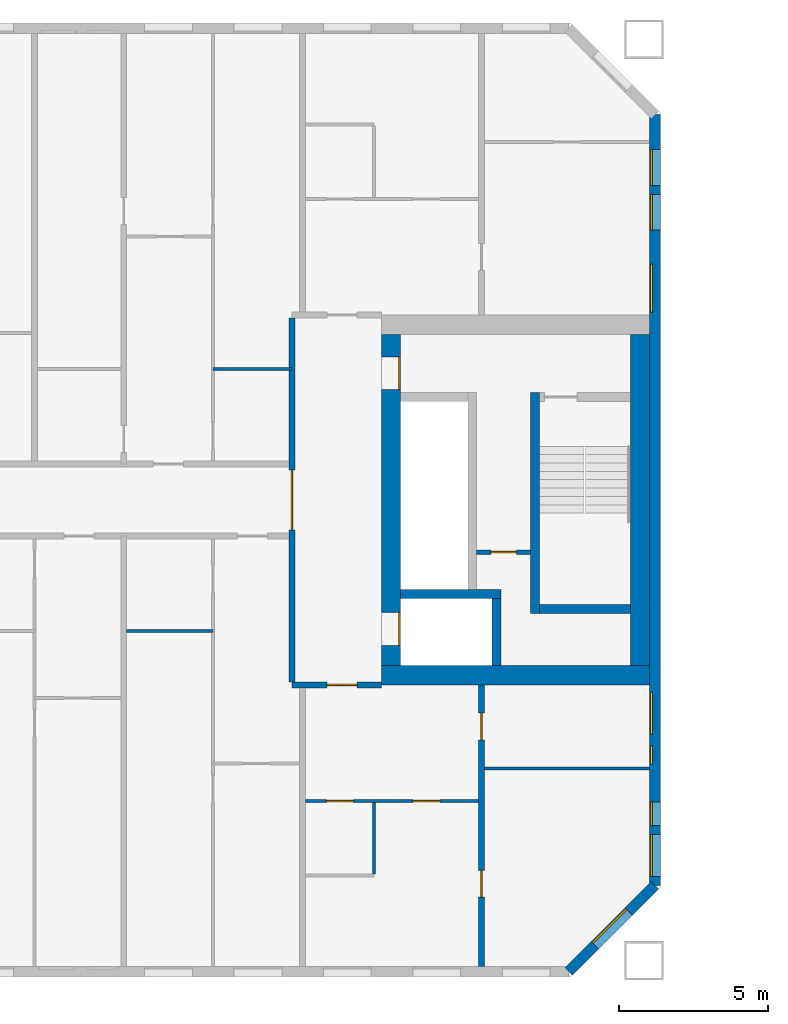
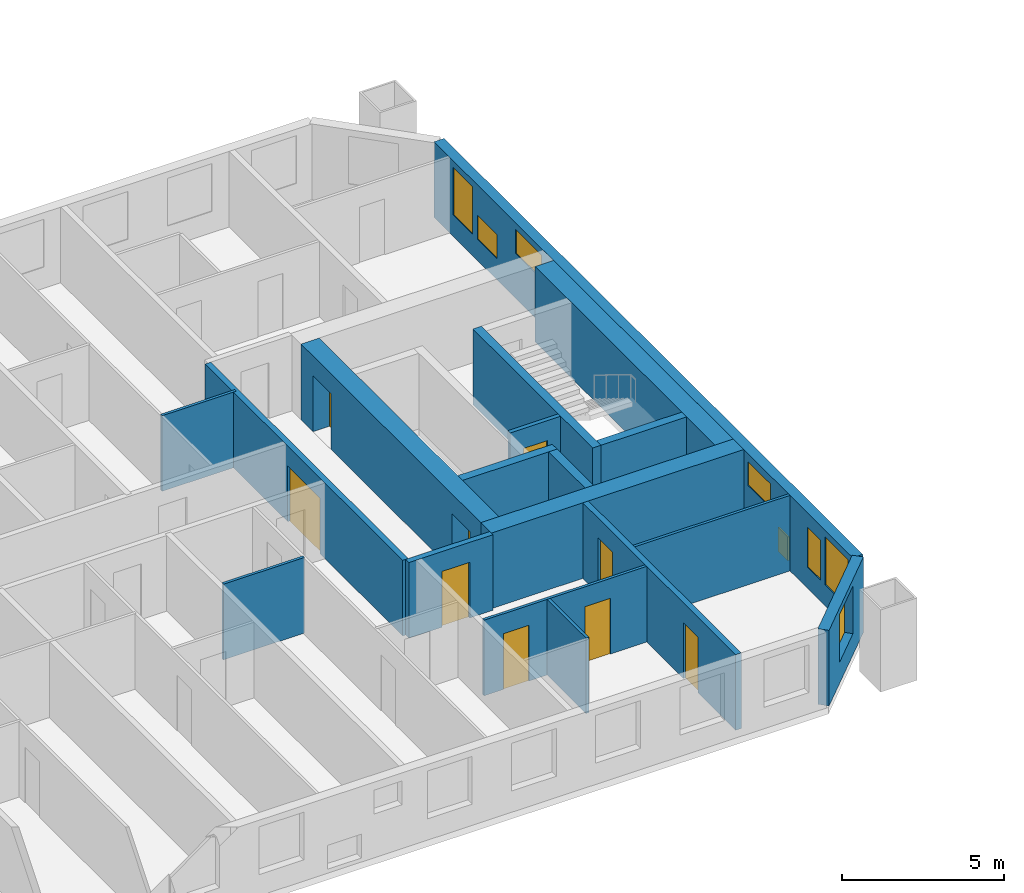
# One storey, part 7 of 17: 18 walls, 9 doors, 8 windows, 17 openings.
"""IFC4 building model written with IfcOpenShell, lengths in metres."""

from ifc_helpers import new_model, si_unit, direction, frame, frame_2d, origin, place, context, subcontext, project, spatial, rectangle, extrude, material, layer, layer_set, type_object, element, fill, save


model = new_model("IFC4")

# Units and contexts
model_context = context("Model", 3, precision=1e-05, world=origin(), true_north=direction((0.0, 1.0)))
body_context = subcontext(model_context, "Body", "Model", "MODEL_VIEW")
ifc_project = project(units=[si_unit("LENGTHUNIT", "METRE"), si_unit("AREAUNIT", "SQUARE_METRE"), si_unit("VOLUMEUNIT", "CUBIC_METRE"), si_unit("PLANEANGLEUNIT", "RADIAN"), si_unit("MASSUNIT", "GRAM", prefix="KILO")], contexts=[model_context])

# Site, building, storey
site_placement = place(None, origin())
site = spatial("IfcSite", under=ifc_project, at=site_placement, CompositionType="ELEMENT")
building_placement = place(site_placement, origin())
building = spatial("IfcBuilding", under=site, at=building_placement, Name="Tuart Gate Housing", CompositionType="ELEMENT")
storey_placement = place(building_placement, frame((0.0, 0.0, 108.800048828125)))
storey = spatial("IfcBuildingStorey", under=building, at=storey_placement, Name="L30", CompositionType="ELEMENT", Elevation=108.800048828125)

# Wall, opening, window
ifc_material_1 = material(Name="Brick", Category="masonry")
ifc_layer_1 = layer(ifc_material_1, 0.360107421875)
ifc_layer_set_1 = layer_set([ifc_layer_1], Name="Brick pier and spandrel wall 360")
wall_type_1 = type_object("IfcWallType", Name="Brick pier and spandrel wall 360", PredefinedType="STANDARD", material=ifc_layer_set_1)
wall_1_placement = place(storey_placement, frame((72.92529296875, 54.179931640625, 0.0), z_axis=(0.0, 0.0, 1.0), x_axis=(0.707106781187, 0.707106781187, 0.0)))
wall_1 = element("IfcWall", 1, at=wall_1_placement, inside=storey, type_object=wall_type_1, Name="External wall A-SE L30", PredefinedType="STANDARD", context=body_context, shape_type="SweptSolid", body=[
    extrude(rectangle(XDim=4.09375, YDim=0.360107421875, at=frame_2d((2.046875, 0.0))), origin(), (0.0, 0.0, 1.0), 2.849853515625),
])
opening_1_placement = place(wall_1_placement, frame((1.2470703125, 0.0, 0.800048828125)))
opening_1 = element("IfcOpeningElement", 2, at=opening_1_placement, cuts=wall_1, Name="Opening W1", PredefinedType="OPENING", context=body_context, shape_type="SweptSolid", body=[
    extrude(rectangle(XDim=1.60009765625, YDim=1.800048828125, at=frame_2d((0.800048828125, 0.89990234375))), frame((0.0, 0.18994140625, 0.0), z_axis=(0.0, -1.0, 0.0), x_axis=(1.0, 0.0, 0.0)), (0.0, 0.0, 1.0), 0.380126953125),
])
ifc_material_2 = material(Name="Aluminium frame with clear glass", Category="aluminium")
window_type_1 = type_object("IfcWindowType", Name="Punched window 1600 x 1800", PartitioningType="SINGLE_PANEL", PredefinedType="WINDOW", material=ifc_material_2)
window_1_placement = place(opening_1_placement, origin())
window_1 = element("IfcWindow", 3, at=window_1_placement, inside=storey, type_object=window_type_1, Name="Window W1", OverallHeight=1.800048828125, OverallWidth=1.60009765625, PartitioningType="SINGLE_PANEL", PredefinedType="WINDOW", context=body_context, shape_type="SweptSolid", body=[
    extrude(rectangle(XDim=1.60009765625, YDim=1.800048828125, at=frame_2d((0.800048828125, 0.89990234375))), frame((0.0, 0.150146484375, 0.0), z_axis=(0.0, -1.0, 0.0), x_axis=(1.0, 0.0, 0.0)), (0.0, 0.0, 1.0), 0.06005859375),
])
fill(opening_1, window_1)

# Wall, openings, windows
wall_2_placement = place(storey_placement, frame((75.820068359375, 57.07470703125, 0.0), z_axis=(0.0, 0.0, 1.0), x_axis=(0.0, 1.0, 0.0)))
wall_2 = element("IfcWall", 4, at=wall_2_placement, inside=storey, type_object=wall_type_1, Name="External wall A-E L30", PredefinedType="STANDARD", context=body_context, shape_type="SweptSolid", body=[
    extrude(rectangle(XDim=25.850830078125, YDim=0.360107421875, at=frame_2d((12.92529296875, 0.0))), origin(), (0.0, 0.0, 1.0), 2.849853515625),
])
opening_2_placement = place(wall_2_placement, frame((0.300048828125, 0.0, 0.800048828125)))
opening_2 = element("IfcOpeningElement", 5, at=opening_2_placement, cuts=wall_2, Name="Opening W1A", PredefinedType="OPENING", context=body_context, shape_type="SweptSolid", body=[
    extrude(rectangle(XDim=1.39990234375, YDim=1.800048828125, at=frame_2d((0.699951171875, 0.89990234375))), frame((0.0, 0.18994140625, 0.0), z_axis=(0.0, -1.0, 0.0), x_axis=(1.0, 0.0, 0.0)), (0.0, 0.0, 1.0), 0.380126953125),
])
opening_3_placement = place(wall_2_placement, frame((4.075439453125, 0.0, 0.25)))
opening_3 = element("IfcOpeningElement", 6, at=opening_3_placement, cuts=wall_2, Name="Opening W1W", PredefinedType="OPENING", context=body_context, shape_type="SweptSolid", body=[
    extrude(rectangle(XDim=0.60009765625, YDim=0.89990234375, at=frame_2d((0.300048828125, 0.449951171875))), frame((0.0, 0.18994140625, 0.0), z_axis=(0.0, -1.0, 0.0), x_axis=(1.0, 0.0, 0.0)), (0.0, 0.0, 1.0), 0.380126953125),
])
opening_4_placement = place(wall_2_placement, frame((19.225341796875, 0.0, 1.699951171875)))
opening_4 = element("IfcOpeningElement", 7, at=opening_4_placement, cuts=wall_2, Name="Opening W1R", PredefinedType="OPENING", context=body_context, shape_type="SweptSolid", body=[
    extrude(rectangle(XDim=1.60009765625, YDim=0.89990234375, at=frame_2d((0.800048828125, 0.449951171875))), frame((0.0, 0.18994140625, 0.0), z_axis=(0.0, -1.0, 0.0), x_axis=(1.0, 0.0, 0.0)), (0.0, 0.0, 1.0), 0.380126953125),
])
opening_5_placement = place(wall_2_placement, frame((21.975341796875, 0.0, 0.800048828125)))
opening_5 = element("IfcOpeningElement", 8, at=opening_5_placement, cuts=wall_2, Name="Opening W1T", PredefinedType="OPENING", context=body_context, shape_type="SweptSolid", body=[
    extrude(rectangle(XDim=1.199951171875, YDim=0.89990234375, at=frame_2d((0.60009765625, 0.449951171875))), frame((0.0, 0.18994140625, 0.0), z_axis=(0.0, -1.0, 0.0), x_axis=(1.0, 0.0, 0.0)), (0.0, 0.0, 1.0), 0.380126953125),
])
opening_6_placement = place(wall_2_placement, frame((2.0, 0.0, 0.800048828125)))
opening_6 = element("IfcOpeningElement", 9, at=opening_6_placement, cuts=wall_2, Name="Opening W1J", PredefinedType="OPENING", context=body_context, shape_type="SweptSolid", body=[
    extrude(rectangle(XDim=0.800048828125, YDim=1.5, at=frame_2d((0.39990234375, 0.75))), frame((0.0, 0.18994140625, 0.0), z_axis=(0.0, -1.0, 0.0), x_axis=(1.0, 0.0, 0.0)), (0.0, 0.0, 1.0), 0.380126953125),
])
opening_7_placement = place(wall_2_placement, frame((5.075439453125, 0.0, 1.64990234375)))
opening_7 = element("IfcOpeningElement", 10, at=opening_7_placement, cuts=wall_2, Name="Opening W1S", PredefinedType="OPENING", context=body_context, shape_type="SweptSolid", body=[
    extrude(rectangle(XDim=1.39990234375, YDim=0.89990234375, at=frame_2d((0.699951171875, 0.449951171875))), frame((0.0, 0.18994140625, 0.0), z_axis=(0.0, -1.0, 0.0), x_axis=(1.0, 0.0, 0.0)), (0.0, 0.0, 1.0), 0.380126953125),
])
opening_8_placement = place(wall_2_placement, frame((23.475341796875, 0.0, 0.800048828125)))
opening_8 = element("IfcOpeningElement", 11, at=opening_8_placement, cuts=wall_2, Name="Opening W1B", PredefinedType="OPENING", context=body_context, shape_type="SweptSolid", body=[
    extrude(rectangle(XDim=1.199951171875, YDim=1.800048828125, at=frame_2d((0.60009765625, 0.89990234375))), frame((0.0, 0.18994140625, 0.0), z_axis=(0.0, -1.0, 0.0), x_axis=(1.0, 0.0, 0.0)), (0.0, 0.0, 1.0), 0.380126953125),
])
ifc_material_3 = material(Name="Aluminium frame with clear glass", Category="aluminium")
window_type_2 = type_object("IfcWindowType", Name="Punched window 1200 x 1800", PartitioningType="SINGLE_PANEL", PredefinedType="WINDOW", material=ifc_material_3)
window_2_placement = place(opening_8_placement, origin())
window_2 = element("IfcWindow", 12, at=window_2_placement, inside=storey, type_object=window_type_2, Name="Window W1B", OverallHeight=1.800048828125, OverallWidth=1.199951171875, PartitioningType="SINGLE_PANEL", PredefinedType="WINDOW", context=body_context, shape_type="SweptSolid", body=[
    extrude(rectangle(XDim=1.199951171875, YDim=1.800048828125, at=frame_2d((0.60009765625, 0.89990234375))), frame((0.0, 0.150146484375, 0.0), z_axis=(0.0, -1.0, 0.0), x_axis=(1.0, 0.0, 0.0)), (0.0, 0.0, 1.0), 0.06005859375),
])
fill(opening_8, window_2)
ifc_material_4 = material(Name="Aluminium frame with clear glass", Category="aluminium")
window_type_3 = type_object("IfcWindowType", Name="Punched window 1200 x 900", PartitioningType="SINGLE_PANEL", PredefinedType="WINDOW", material=ifc_material_4)
window_3_placement = place(opening_5_placement, origin())
window_3 = element("IfcWindow", 13, at=window_3_placement, inside=storey, type_object=window_type_3, Name="Window W1T", OverallHeight=0.89990234375, OverallWidth=1.199951171875, PartitioningType="SINGLE_PANEL", PredefinedType="WINDOW", context=body_context, shape_type="SweptSolid", body=[
    extrude(rectangle(XDim=1.199951171875, YDim=0.89990234375, at=frame_2d((0.60009765625, 0.449951171875))), frame((0.0, 0.150146484375, 0.0), z_axis=(0.0, -1.0, 0.0), x_axis=(1.0, 0.0, 0.0)), (0.0, 0.0, 1.0), 0.06005859375),
])
fill(opening_5, window_3)
ifc_material_5 = material(Name="Aluminium frame with clear glass", Category="aluminium")
window_type_4 = type_object("IfcWindowType", Name="Punched window 1400 x 1800", PartitioningType="SINGLE_PANEL", PredefinedType="WINDOW", material=ifc_material_5)
window_4_placement = place(opening_2_placement, origin())
window_4 = element("IfcWindow", 14, at=window_4_placement, inside=storey, type_object=window_type_4, Name="Window W1A", OverallHeight=1.800048828125, OverallWidth=1.39990234375, PartitioningType="SINGLE_PANEL", PredefinedType="WINDOW", context=body_context, shape_type="SweptSolid", body=[
    extrude(rectangle(XDim=1.39990234375, YDim=1.800048828125, at=frame_2d((0.699951171875, 0.89990234375))), frame((0.0, 0.150146484375, 0.0), z_axis=(0.0, -1.0, 0.0), x_axis=(1.0, 0.0, 0.0)), (0.0, 0.0, 1.0), 0.06005859375),
])
fill(opening_2, window_4)
ifc_material_6 = material(Name="Aluminium frame with clear glass", Category="aluminium")
window_type_5 = type_object("IfcWindowType", Name="Punched window 1400 x 900", PartitioningType="SINGLE_PANEL", PredefinedType="WINDOW", material=ifc_material_6)
window_5_placement = place(opening_7_placement, origin())
window_5 = element("IfcWindow", 15, at=window_5_placement, inside=storey, type_object=window_type_5, Name="Window W1S", OverallHeight=0.89990234375, OverallWidth=1.39990234375, PartitioningType="SINGLE_PANEL", PredefinedType="WINDOW", context=body_context, shape_type="SweptSolid", body=[
    extrude(rectangle(XDim=1.39990234375, YDim=0.89990234375, at=frame_2d((0.699951171875, 0.449951171875))), frame((0.0, 0.150146484375, 0.0), z_axis=(0.0, -1.0, 0.0), x_axis=(1.0, 0.0, 0.0)), (0.0, 0.0, 1.0), 0.06005859375),
])
fill(opening_7, window_5)
ifc_material_7 = material(Name="Aluminium frame with clear glass", Category="aluminium")
window_type_6 = type_object("IfcWindowType", Name="Punched window 1600 x 900", PartitioningType="SINGLE_PANEL", PredefinedType="WINDOW", material=ifc_material_7)
window_6_placement = place(opening_4_placement, origin())
window_6 = element("IfcWindow", 16, at=window_6_placement, inside=storey, type_object=window_type_6, Name="Window W1R", OverallHeight=0.89990234375, OverallWidth=1.60009765625, PartitioningType="SINGLE_PANEL", PredefinedType="WINDOW", context=body_context, shape_type="SweptSolid", body=[
    extrude(rectangle(XDim=1.60009765625, YDim=0.89990234375, at=frame_2d((0.800048828125, 0.449951171875))), frame((0.0, 0.150146484375, 0.0), z_axis=(0.0, -1.0, 0.0), x_axis=(1.0, 0.0, 0.0)), (0.0, 0.0, 1.0), 0.06005859375),
])
fill(opening_4, window_6)
ifc_material_8 = material(Name="Aluminium frame with clear glass", Category="aluminium")
window_type_7 = type_object("IfcWindowType", Name="Punched window 600 x 900", PartitioningType="SINGLE_PANEL", PredefinedType="WINDOW", material=ifc_material_8)
window_7_placement = place(opening_3_placement, origin())
window_7 = element("IfcWindow", 17, at=window_7_placement, inside=storey, type_object=window_type_7, Name="Window W1W", OverallHeight=0.89990234375, OverallWidth=0.60009765625, PartitioningType="SINGLE_PANEL", PredefinedType="WINDOW", context=body_context, shape_type="SweptSolid", body=[
    extrude(rectangle(XDim=0.60009765625, YDim=0.89990234375, at=frame_2d((0.300048828125, 0.449951171875))), frame((0.0, 0.150146484375, 0.0), z_axis=(0.0, -1.0, 0.0), x_axis=(1.0, 0.0, 0.0)), (0.0, 0.0, 1.0), 0.06005859375),
])
fill(opening_3, window_7)
ifc_material_9 = material(Name="Aluminium frame with clear glass", Category="aluminium")
window_type_8 = type_object("IfcWindowType", Name="Punched window 800 x 1500", PartitioningType="SINGLE_PANEL", PredefinedType="WINDOW", material=ifc_material_9)
window_8_placement = place(opening_6_placement, origin())
window_8 = element("IfcWindow", 18, at=window_8_placement, inside=storey, type_object=window_type_8, Name="Window W1J", OverallHeight=1.5, OverallWidth=0.800048828125, PartitioningType="SINGLE_PANEL", PredefinedType="WINDOW", context=body_context, shape_type="SweptSolid", body=[
    extrude(rectangle(XDim=0.800048828125, YDim=1.5, at=frame_2d((0.39990234375, 0.75))), frame((0.0, 0.150146484375, 0.0), z_axis=(0.0, -1.0, 0.0), x_axis=(1.0, 0.0, 0.0)), (0.0, 0.0, 1.0), 0.06005859375),
])
fill(opening_6, window_8)

# Wall, opening, door
ifc_material_10 = material(Name="Plasterboard partition")
ifc_layer_2 = layer(ifc_material_10, 0.14990234375)
ifc_layer_set_2 = layer_set([ifc_layer_2], Name="Core partition 150")
wall_type_2 = type_object("IfcWallType", Name="Core partition 150", PredefinedType="PARTITIONING", material=ifc_layer_set_2)
wall_3_placement = place(storey_placement, frame((69.840087890625, 68.25, 0.0), z_axis=(0.0, 0.0, 1.0), x_axis=(1.0, 0.0, 0.0)))
wall_3 = element("IfcWall", 19, at=wall_3_placement, inside=storey, type_object=wall_type_2, Name="Core partition AG.3", PredefinedType="PARTITIONING", context=body_context, shape_type="SweptSolid", body=[
    extrude(rectangle(XDim=1.7998046875, YDim=0.14990234375, at=frame_2d((0.89990234375, 0.0))), origin(), (0.0, 0.0, 1.0), 2.849853515625),
])
opening_9_placement = place(wall_3_placement, frame((0.47509765625, 0.0, 0.0)))
opening_9 = element("IfcOpeningElement", 20, at=opening_9_placement, cuts=wall_3, Name="Opening D1214", PredefinedType="OPENING", context=body_context, shape_type="SweptSolid", body=[
    extrude(rectangle(XDim=0.85009765625, YDim=2.10009765625, at=frame_2d((0.425048828125, 1.050048828125))), frame((0.0, 0.0849609375, 0.0), z_axis=(0.0, -1.0, 0.0), x_axis=(1.0, 0.0, 0.0)), (0.0, 0.0, 1.0), 0.169921875),
])
ifc_material_11 = material(Name="Steel fire door", Category="steel")
door_type_1 = type_object("IfcDoorType", Name="Riser door 850 x 2100 RH", OperationType="SINGLE_SWING_RIGHT", PredefinedType="DOOR", material=ifc_material_11)
door_1_placement = place(opening_9_placement, frame((0.85009765625, 0.0, 0.0), z_axis=(0.0, 0.0, 1.0), x_axis=(-1.0, 0.0, 0.0)))
door_1 = element("IfcDoor", 21, at=door_1_placement, inside=storey, type_object=door_type_1, Name="Service room door AG.E1", OperationType="SINGLE_SWING_RIGHT", OverallHeight=2.10009765625, OverallWidth=0.85009765625, PredefinedType="DOOR", context=body_context, shape_type="SweptSolid", body=[
    extrude(rectangle(XDim=0.85009765625, YDim=2.10009765625, at=frame_2d((0.425048828125, 1.050048828125))), frame((0.0, 0.025146484375, 0.0), z_axis=(0.0, -1.0, 0.0), x_axis=(1.0, 0.0, 0.0)), (0.0, 0.0, 1.0), 0.050048828125),
])
fill(opening_9, door_1)

# Walls
ifc_material_12 = material(Name="Concrete C50", Category="concrete")
ifc_layer_3 = layer(ifc_material_12, 0.300048828125)
ifc_layer_set_3 = layer_set([ifc_layer_3], Name="Core wall 300 C50")
wall_type_3 = type_object("IfcWallType", Name="Core wall 300 C50", PredefinedType="SHEAR", material=ifc_layer_set_3)
wall_4_placement = place(storey_placement, frame((71.93994140625, 66.35009765625, 0.0), z_axis=(0.0, 0.0, 1.0), x_axis=(1.0, 0.0, 0.0)))
element("IfcWall", 22, at=wall_4_placement, inside=storey, type_object=wall_type_3, Name="Core wall AG.1", PredefinedType="SHEAR", context=body_context, shape_type="SweptSolid", body=[
    extrude(rectangle(XDim=3.050048828125, YDim=0.300048828125, at=frame_2d((1.52490234375, 0.0))), origin(), (0.0, 0.0, 1.0), 2.849853515625),
])
wall_5_placement = place(storey_placement, frame((67.2900390625, 66.85009765625, 0.0), z_axis=(0.0, 0.0, 1.0), x_axis=(1.0, 0.0, 0.0)))
element("IfcWall", 23, at=wall_5_placement, inside=storey, type_object=wall_type_3, Name="Core wall AG.2", PredefinedType="SHEAR", context=body_context, shape_type="SweptSolid", body=[
    extrude(rectangle(XDim=3.369873046875, YDim=0.300048828125, at=frame_2d((1.68505859375, 0.0))), origin(), (0.0, 0.0, 1.0), 2.849853515625),
])
wall_6_placement = place(storey_placement, frame((70.510009765625, 64.449951171875, 0.0), z_axis=(0.0, 0.0, 1.0), x_axis=(0.0, 1.0, 0.0)))
element("IfcWall", 24, at=wall_6_placement, inside=storey, type_object=wall_type_3, Name="Core wall AG.7", PredefinedType="SHEAR", context=body_context, shape_type="SweptSolid", body=[
    extrude(rectangle(XDim=2.25, YDim=0.300048828125, at=frame_2d((1.125, 0.0))), origin(), (0.0, 0.0, 1.0), 2.849853515625),
])
wall_7_placement = place(storey_placement, frame((71.7900390625, 66.199951171875, 0.0), z_axis=(0.0, 0.0, 1.0), x_axis=(0.0, 1.0, 0.0)))
element("IfcWall", 25, at=wall_7_placement, inside=storey, type_object=wall_type_3, Name="Core wall AG.8", PredefinedType="SHEAR", context=body_context, shape_type="SweptSolid", body=[
    extrude(rectangle(XDim=7.400146484375, YDim=0.300048828125, at=frame_2d((3.7001953125, 0.0))), origin(), (0.0, 0.0, 1.0), 2.849853515625),
])

# Wall, openings, doors
ifc_material_13 = material(Name="Concrete C50", Category="concrete")
ifc_layer_4 = layer(ifc_material_13, 0.64990234375)
ifc_layer_set_4 = layer_set([ifc_layer_4], Name="Core wall 650 C50")
wall_type_4 = type_object("IfcWallType", Name="Core wall 650 C50", PredefinedType="SHEAR", material=ifc_layer_set_4)
wall_8_placement = place(storey_placement, frame((66.965087890625, 64.449951171875, 0.0), z_axis=(0.0, 0.0, 1.0), x_axis=(0.0, 1.0, 0.0)))
wall_8 = element("IfcWall", 26, at=wall_8_placement, inside=storey, type_object=wall_type_4, Name="Core wall AG front", PredefinedType="SHEAR", context=body_context, shape_type="SweptSolid", body=[
    extrude(rectangle(XDim=11.10009765625, YDim=0.64990234375, at=frame_2d((5.550048828125, 0.0))), origin(), (0.0, 0.0, 1.0), 2.849853515625),
])
opening_10_placement = place(wall_8_placement, frame((0.675048828125, 0.0, 0.0)))
opening_10 = element("IfcOpeningElement", 27, at=opening_10_placement, cuts=wall_8, Name="Opening LD-FA1", PredefinedType="OPENING", context=body_context, shape_type="SweptSolid", body=[
    extrude(rectangle(XDim=1.10009765625, YDim=2.10009765625, at=frame_2d((0.550048828125, 1.050048828125))), frame((0.0, 0.3349609375, 0.0), z_axis=(0.0, -1.0, 0.0), x_axis=(1.0, 0.0, 0.0)), (0.0, 0.0, 1.0), 0.669921875),
])
opening_11_placement = place(wall_8_placement, frame((9.25, 0.0, 0.0)))
opening_11 = element("IfcOpeningElement", 28, at=opening_11_placement, cuts=wall_8, Name="Opening D1210", PredefinedType="OPENING", context=body_context, shape_type="SweptSolid", body=[
    extrude(rectangle(XDim=1.10009765625, YDim=2.10009765625, at=frame_2d((0.550048828125, 1.050048828125))), frame((0.0, 0.3349609375, 0.0), z_axis=(0.0, -1.0, 0.0), x_axis=(1.0, 0.0, 0.0)), (0.0, 0.0, 1.0), 0.669921875),
])
ifc_material_14 = material(Name="Stainless steel", Category="steel")
door_type_2 = type_object("IfcDoorType", Name="Landing door 1100 x 2100", OperationType="DOUBLE_DOOR_SLIDING", PredefinedType="DOOR", material=ifc_material_14)
door_2_placement = place(opening_10_placement, origin())
door_2 = element("IfcDoor", 29, at=door_2_placement, inside=storey, type_object=door_type_2, Name="Lift landing door FA1", OperationType="DOUBLE_DOOR_SLIDING", OverallHeight=2.10009765625, OverallWidth=1.10009765625, PredefinedType="DOOR", context=body_context, shape_type="SweptSolid", body=[
    extrude(rectangle(XDim=1.10009765625, YDim=2.10009765625, at=frame_2d((0.550048828125, 1.050048828125))), frame((0.0, -0.259765625, 0.0), z_axis=(0.0, -1.0, 0.0), x_axis=(1.0, 0.0, 0.0)), (0.0, 0.0, 1.0), 0.050048828125),
])
fill(opening_10, door_2)
ifc_material_15 = material(Name="Steel fire door", Category="steel")
door_type_3 = type_object("IfcDoorType", Name="Lobby door 1100 x 2100 RH", OperationType="SINGLE_SWING_RIGHT", PredefinedType="DOOR", material=ifc_material_15)
door_3_placement = place(opening_11_placement, frame((1.10009765625, 0.0, 0.0), z_axis=(0.0, 0.0, 1.0), x_axis=(-1.0, 0.0, 0.0)))
door_3 = element("IfcDoor", 30, at=door_3_placement, inside=storey, type_object=door_type_3, Name="Lobby entry door AG.EN", OperationType="SINGLE_SWING_RIGHT", OverallHeight=2.10009765625, OverallWidth=1.10009765625, PredefinedType="DOOR", context=body_context, shape_type="SweptSolid", body=[
    extrude(rectangle(XDim=1.10009765625, YDim=2.10009765625, at=frame_2d((0.550048828125, 1.050048828125))), frame((0.0, 0.309814453125, 0.0), z_axis=(0.0, -1.0, 0.0), x_axis=(1.0, 0.0, 0.0)), (0.0, 0.0, 1.0), 0.050048828125),
])
fill(opening_11, door_3)

# Walls
wall_9_placement = place(storey_placement, frame((75.31494140625, 64.449951171875, 0.0), z_axis=(0.0, 0.0, 1.0), x_axis=(0.0, 1.0, 0.0)))
element("IfcWall", 31, at=wall_9_placement, inside=storey, type_object=wall_type_4, Name="Core wall AG back", PredefinedType="SHEAR", context=body_context, shape_type="SweptSolid", body=[
    extrude(rectangle(XDim=11.10009765625, YDim=0.64990234375, at=frame_2d((5.550048828125, 0.0))), origin(), (0.0, 0.0, 1.0), 2.849853515625),
])
wall_10_placement = place(storey_placement, frame((66.639892578125, 64.125, 0.0), z_axis=(0.0, 0.0, 1.0), x_axis=(1.0, 0.0, 0.0)))
element("IfcWall", 32, at=wall_10_placement, inside=storey, type_object=wall_type_4, Name="Core wall AG south", PredefinedType="SHEAR", context=body_context, shape_type="SweptSolid", body=[
    extrude(rectangle(XDim=9.0, YDim=0.64990234375, at=frame_2d((4.5, 0.0))), origin(), (0.0, 0.0, 1.0), 2.849853515625),
])

# Wall, opening, door
ifc_material_16 = material(Name="Concrete masonry 15 MPa", Category="masonry")
ifc_layer_5 = layer(ifc_material_16, 0.199951171875)
ifc_layer_set_5 = layer_set([ifc_layer_5], Name="Enclosure wall masonry 200")
wall_type_5 = type_object("IfcWallType", Name="Enclosure wall masonry 200", PredefinedType="PARTITIONING", material=ifc_layer_set_5)
wall_11_placement = place(storey_placement, frame((63.639892578125, 63.800048828125, 0.0), z_axis=(0.0, 0.0, 1.0), x_axis=(1.0, 0.0, 0.0)))
wall_11 = element("IfcWall", 33, at=wall_11_placement, inside=storey, type_object=wall_type_5, Name="Enclosure wall masonry 200", PredefinedType="PARTITIONING", context=body_context, shape_type="SweptSolid", body=[
    extrude(rectangle(XDim=3.0, YDim=0.199951171875, at=frame_2d((1.5, 0.0))), origin(), (0.0, 0.0, 1.0), 2.849853515625),
])
opening_12_placement = place(wall_11_placement, frame((1.179931640625, 0.0, 0.0)))
opening_12 = element("IfcOpeningElement", 34, at=opening_12_placement, cuts=wall_11, Name="Opening D1217", PredefinedType="OPENING", context=body_context, shape_type="SweptSolid", body=[
    extrude(rectangle(XDim=1.0, YDim=2.10009765625, at=frame_2d((0.5, 1.050048828125))), frame((0.0, 0.10986328125, 0.0), z_axis=(0.0, -1.0, 0.0), x_axis=(1.0, 0.0, 0.0)), (0.0, 0.0, 1.0), 0.219970703125),
])
ifc_material_17 = material(Name="Timber door leaf in steel frame", Category="steel")
door_type_4 = type_object("IfcDoorType", Name="Flat entrance door 1000 RH", OperationType="SINGLE_SWING_RIGHT", PredefinedType="DOOR", material=ifc_material_17)
door_4_placement = place(opening_12_placement, frame((1.0, 0.0, 0.0), z_axis=(0.0, 0.0, 1.0), x_axis=(-1.0, 0.0, 0.0)))
door_4 = element("IfcDoor", 35, at=door_4_placement, inside=storey, type_object=door_type_4, Name="Flat entrance door", OperationType="SINGLE_SWING_RIGHT", OverallHeight=2.10009765625, OverallWidth=1.0, PredefinedType="DOOR", context=body_context, shape_type="SweptSolid", body=[
    extrude(rectangle(XDim=1.0, YDim=2.10009765625, at=frame_2d((0.5, 1.050048828125))), frame((0.0, 0.025146484375, 0.0), z_axis=(0.0, -1.0, 0.0), x_axis=(1.0, 0.0, 0.0)), (0.0, 0.0, 1.0), 0.050048828125),
])
fill(opening_12, door_4)

ifc_material_18 = material(Name="Plasterboard partition")
ifc_layer_6 = layer(ifc_material_18, 0.199951171875)
ifc_layer_set_6 = layer_set([ifc_layer_6], Name="Lobby wall 200")
wall_type_6 = type_object("IfcWallType", Name="Lobby wall 200", PredefinedType="PARTITIONING", material=ifc_layer_set_6)
wall_12_placement = place(storey_placement, frame((63.639892578125, 63.89990234375, 0.0), z_axis=(0.0, 0.0, 1.0), x_axis=(0.0, 1.0, 0.0)))
wall_12 = element("IfcWall", 36, at=wall_12_placement, inside=storey, type_object=wall_type_6, Name="Lift lobby wall AG", PredefinedType="PARTITIONING", context=body_context, shape_type="SweptSolid", body=[
    extrude(rectangle(XDim=12.2001953125, YDim=0.199951171875, at=frame_2d((6.10009765625, 0.0))), origin(), (0.0, 0.0, 1.0), 2.849853515625),
])
opening_13_placement = place(wall_12_placement, frame((5.10009765625, 0.0, 0.0)))
opening_13 = element("IfcOpeningElement", 37, at=opening_13_placement, cuts=wall_12, Name="Opening D1209", PredefinedType="OPENING", context=body_context, shape_type="SweptSolid", body=[
    extrude(rectangle(XDim=2.0, YDim=2.10009765625, at=frame_2d((1.0, 1.050048828125))), frame((0.0, 0.10986328125, 0.0), z_axis=(0.0, -1.0, 0.0), x_axis=(1.0, 0.0, 0.0)), (0.0, 0.0, 1.0), 0.219970703125),
])
ifc_material_19 = material(Name="Steel fire door", Category="steel")
door_type_5 = type_object("IfcDoorType", Name="Smoke door 2000 x 2100", OperationType="DOUBLE_DOOR_SINGLE_SWING", PredefinedType="DOOR", material=ifc_material_19)
door_5_placement = place(opening_13_placement, frame((2.0, 0.0, 0.0), z_axis=(0.0, 0.0, 1.0), x_axis=(-1.0, 0.0, 0.0)))
door_5 = element("IfcDoor", 38, at=door_5_placement, inside=storey, type_object=door_type_5, Name="Lift lobby smoke door AG", OperationType="DOUBLE_DOOR_SINGLE_SWING", OverallHeight=2.10009765625, OverallWidth=2.0, PredefinedType="DOOR", context=body_context, shape_type="SweptSolid", body=[
    extrude(rectangle(XDim=2.0, YDim=2.10009765625, at=frame_2d((1.0, 1.050048828125))), frame((0.0, 0.025146484375, 0.0), z_axis=(0.0, -1.0, 0.0), x_axis=(1.0, 0.0, 0.0)), (0.0, 0.0, 1.0), 0.050048828125),
])
fill(opening_13, door_5)

# Wall, openings, doors
ifc_material_20 = material(Name="Gypsum board on steel studs", Category="steel")
ifc_layer_7 = layer(ifc_material_20, 0.10009765625)
ifc_layer_set_7 = layer_set([ifc_layer_7], Name="Partition 100")
wall_type_7 = type_object("IfcWallType", Name="Partition 100", PredefinedType="PARTITIONING", material=ifc_layer_set_7)
wall_13_placement = place(storey_placement, frame((64.10009765625, 59.89990234375, 0.0), z_axis=(0.0, 0.0, 1.0), x_axis=(1.0, 0.0, 0.0)))
wall_13 = element("IfcWall", 39, at=wall_13_placement, inside=storey, type_object=wall_type_7, Name="Partition 100", PredefinedType="PARTITIONING", context=body_context, shape_type="SweptSolid", body=[
    extrude(rectangle(XDim=5.7998046875, YDim=0.10009765625, at=frame_2d((2.89990234375, 0.0))), origin(), (0.0, 0.0, 1.0), 2.849853515625),
])
opening_14_placement = place(wall_13_placement, frame((3.60009765625, 0.0, 0.0)))
opening_14 = element("IfcOpeningElement", 40, at=opening_14_placement, cuts=wall_13, Name="Opening D1231", PredefinedType="OPENING", context=body_context, shape_type="SweptSolid", body=[
    extrude(rectangle(XDim=0.89990234375, YDim=2.10009765625, at=frame_2d((0.449951171875, 1.050048828125))), frame((0.0, 0.06005859375, 0.0), z_axis=(0.0, -1.0, 0.0), x_axis=(1.0, 0.0, 0.0)), (0.0, 0.0, 1.0), 0.1201171875),
])
opening_15_placement = place(wall_13_placement, frame((0.699951171875, 0.0, 0.0)))
opening_15 = element("IfcOpeningElement", 41, at=opening_15_placement, cuts=wall_13, Name="Opening D1230", PredefinedType="OPENING", context=body_context, shape_type="SweptSolid", body=[
    extrude(rectangle(XDim=0.89990234375, YDim=2.10009765625, at=frame_2d((0.449951171875, 1.050048828125))), frame((0.0, 0.06005859375, 0.0), z_axis=(0.0, -1.0, 0.0), x_axis=(1.0, 0.0, 0.0)), (0.0, 0.0, 1.0), 0.1201171875),
])
ifc_material_21 = material(Name="Timber door leaf in steel frame", Category="steel")
door_type_6 = type_object("IfcDoorType", Name="Bathroom door 900", OperationType="SINGLE_SWING_LEFT", PredefinedType="DOOR", material=ifc_material_21)
door_6_placement = place(opening_15_placement, frame((0.89990234375, 0.0, 0.0), z_axis=(0.0, 0.0, 1.0), x_axis=(-1.0, 0.0, 0.0)))
door_6 = element("IfcDoor", 42, at=door_6_placement, inside=storey, type_object=door_type_6, Name="Bathroom door", OperationType="SINGLE_SWING_LEFT", OverallHeight=2.10009765625, OverallWidth=0.89990234375, PredefinedType="DOOR", context=body_context, shape_type="SweptSolid", body=[
    extrude(rectangle(XDim=0.89990234375, YDim=2.10009765625, at=frame_2d((0.449951171875, 1.050048828125))), frame((0.0, 0.025146484375, 0.0), z_axis=(0.0, -1.0, 0.0), x_axis=(1.0, 0.0, 0.0)), (0.0, 0.0, 1.0), 0.050048828125),
])
fill(opening_15, door_6)
ifc_material_22 = material(Name="Timber door leaf in steel frame", Category="steel")
door_type_7 = type_object("IfcDoorType", Name="Internal door 900 RH", OperationType="SINGLE_SWING_RIGHT", PredefinedType="DOOR", material=ifc_material_22)
door_7_placement = place(opening_14_placement, origin())
door_7 = element("IfcDoor", 43, at=door_7_placement, inside=storey, type_object=door_type_7, Name="Internal door", OperationType="SINGLE_SWING_RIGHT", OverallHeight=2.10009765625, OverallWidth=0.89990234375, PredefinedType="DOOR", context=body_context, shape_type="SweptSolid", body=[
    extrude(rectangle(XDim=0.89990234375, YDim=2.10009765625, at=frame_2d((0.449951171875, 1.050048828125))), frame((0.0, 0.02490234375, 0.0), z_axis=(0.0, -1.0, 0.0), x_axis=(1.0, 0.0, 0.0)), (0.0, 0.0, 1.0), 0.050048828125),
])
fill(opening_14, door_7)

# Walls
wall_14_placement = place(storey_placement, frame((70.10009765625, 61.0, 0.0), z_axis=(0.0, 0.0, 1.0), x_axis=(1.0, 0.0, 0.0)))
element("IfcWall", 44, at=wall_14_placement, inside=storey, type_object=wall_type_7, Name="Partition 100", PredefinedType="PARTITIONING", context=body_context, shape_type="SweptSolid", body=[
    extrude(rectangle(XDim=5.539794921875, YDim=0.10009765625, at=frame_2d((2.77001953125, 0.0))), origin(), (0.0, 0.0, 1.0), 2.849853515625),
])
wall_15_placement = place(storey_placement, frame((58.10009765625, 65.60009765625, 0.0), z_axis=(0.0, 0.0, 1.0), x_axis=(1.0, 0.0, 0.0)))
element("IfcWall", 45, at=wall_15_placement, inside=storey, type_object=wall_type_7, Name="Partition 100", PredefinedType="PARTITIONING", context=body_context, shape_type="SweptSolid", body=[
    extrude(rectangle(XDim=2.89990234375, YDim=0.10009765625, at=frame_2d((1.449951171875, 0.0))), origin(), (0.0, 0.0, 1.0), 2.849853515625),
])
wall_16_placement = place(storey_placement, frame((61.0, 74.39990234375, 0.0), z_axis=(0.0, 0.0, 1.0), x_axis=(1.0, 0.0, 0.0)))
element("IfcWall", 46, at=wall_16_placement, inside=storey, type_object=wall_type_7, Name="Partition 100", PredefinedType="PARTITIONING", context=body_context, shape_type="SweptSolid", body=[
    extrude(rectangle(XDim=2.639892578125, YDim=0.10009765625, at=frame_2d((1.31982421875, 0.0))), origin(), (0.0, 0.0, 1.0), 2.849853515625),
])
wall_17_placement = place(storey_placement, frame((66.39990234375, 57.449951171875, 0.0), z_axis=(0.0, 0.0, 1.0), x_axis=(0.0, 1.0, 0.0)))
element("IfcWall", 47, at=wall_17_placement, inside=storey, type_object=wall_type_7, Name="Partition 100", PredefinedType="PARTITIONING", context=body_context, shape_type="SweptSolid", body=[
    extrude(rectangle(XDim=2.400146484375, YDim=0.10009765625, at=frame_2d((1.2001953125, 0.0))), origin(), (0.0, 0.0, 1.0), 2.849853515625),
])

# Wall, openings, doors
ifc_material_23 = material(Name="Concrete C40", Category="concrete")
ifc_layer_8 = layer(ifc_material_23, 0.199951171875)
ifc_layer_set_8 = layer_set([ifc_layer_8], Name="Party wall concrete C40 200")
wall_type_8 = type_object("IfcWallType", Name="Party wall concrete C40 200", PredefinedType="SOLIDWALL", material=ifc_layer_set_8)
wall_18_placement = place(storey_placement, frame((70.0, 54.360107421875, 0.0), z_axis=(0.0, 0.0, 1.0), x_axis=(0.0, 1.0, 0.0)))
wall_18 = element("IfcWall", 48, at=wall_18_placement, inside=storey, type_object=wall_type_8, Name="Party wall concrete C40 200", PredefinedType="SOLIDWALL", context=body_context, shape_type="SweptSolid", body=[
    extrude(rectangle(XDim=9.43994140625, YDim=0.199951171875, at=frame_2d((4.719970703125, 0.0))), origin(), (0.0, 0.0, 1.0), 2.849853515625),
])
opening_16_placement = place(wall_18_placement, frame((2.320068359375, 0.0, 0.0)))
opening_16 = element("IfcOpeningElement", 49, at=opening_16_placement, cuts=wall_18, Name="Opening D1235", PredefinedType="OPENING", context=body_context, shape_type="SweptSolid", body=[
    extrude(rectangle(XDim=0.89990234375, YDim=2.10009765625, at=frame_2d((0.449951171875, 1.050048828125))), frame((0.0, 0.10986328125, 0.0), z_axis=(0.0, -1.0, 0.0), x_axis=(1.0, 0.0, 0.0)), (0.0, 0.0, 1.0), 0.219970703125),
])
opening_17_placement = place(wall_18_placement, frame((7.590087890625, 0.0, 0.0)))
opening_17 = element("IfcOpeningElement", 50, at=opening_17_placement, cuts=wall_18, Name="Opening D1236", PredefinedType="OPENING", context=body_context, shape_type="SweptSolid", body=[
    extrude(rectangle(XDim=0.89990234375, YDim=2.10009765625, at=frame_2d((0.449951171875, 1.050048828125))), frame((0.0, 0.10986328125, 0.0), z_axis=(0.0, -1.0, 0.0), x_axis=(1.0, 0.0, 0.0)), (0.0, 0.0, 1.0), 0.219970703125),
])
door_8_placement = place(opening_16_placement, frame((0.89990234375, 0.0, 0.0), z_axis=(0.0, 0.0, 1.0), x_axis=(-1.0, 0.0, 0.0)))
door_8 = element("IfcDoor", 51, at=door_8_placement, inside=storey, type_object=door_type_7, Name="Internal door", OperationType="SINGLE_SWING_RIGHT", OverallHeight=2.10009765625, OverallWidth=0.89990234375, PredefinedType="DOOR", context=body_context, shape_type="SweptSolid", body=[
    extrude(rectangle(XDim=0.89990234375, YDim=2.10009765625, at=frame_2d((0.449951171875, 1.050048828125))), frame((0.0, 0.025146484375, 0.0), z_axis=(0.0, -1.0, 0.0), x_axis=(1.0, 0.0, 0.0)), (0.0, 0.0, 1.0), 0.050048828125),
])
fill(opening_16, door_8)
door_9_placement = place(opening_17_placement, frame((0.89990234375, 0.0, 0.0), z_axis=(0.0, 0.0, 1.0), x_axis=(-1.0, 0.0, 0.0)))
door_9 = element("IfcDoor", 52, at=door_9_placement, inside=storey, type_object=door_type_7, Name="Internal door", OperationType="SINGLE_SWING_RIGHT", OverallHeight=2.10009765625, OverallWidth=0.89990234375, PredefinedType="DOOR", context=body_context, shape_type="SweptSolid", body=[
    extrude(rectangle(XDim=0.89990234375, YDim=2.10009765625, at=frame_2d((0.449951171875, 1.050048828125))), frame((0.0, 0.025146484375, 0.0), z_axis=(0.0, -1.0, 0.0), x_axis=(1.0, 0.0, 0.0)), (0.0, 0.0, 1.0), 0.050048828125),
])
fill(opening_17, door_9)

save(model, "model.ifc")
